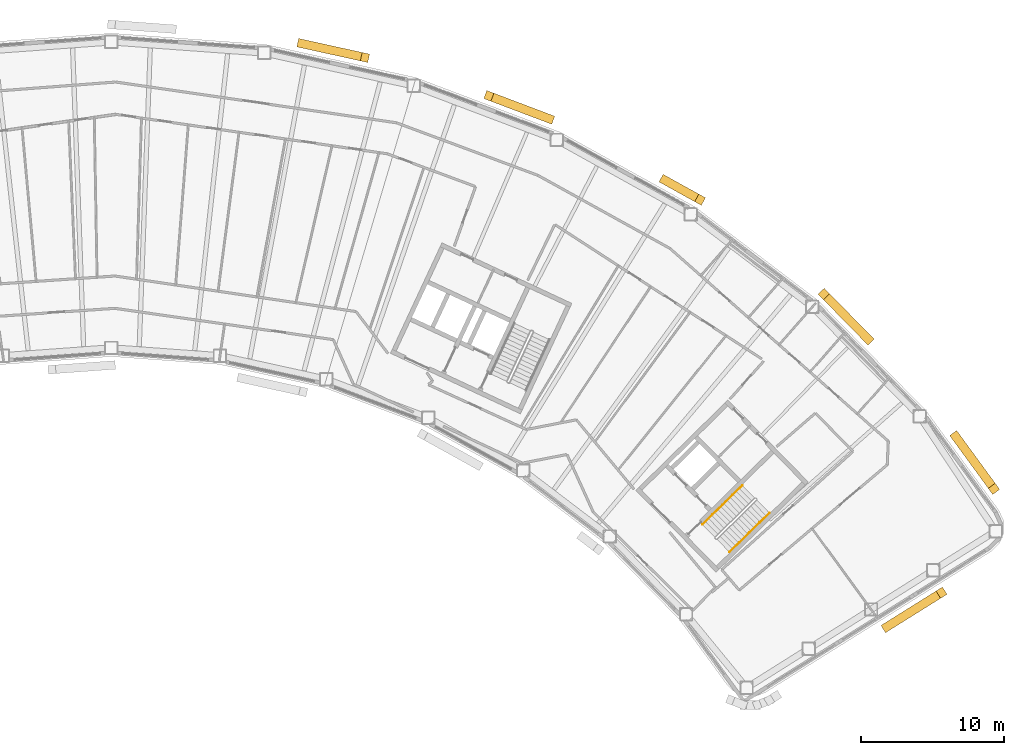
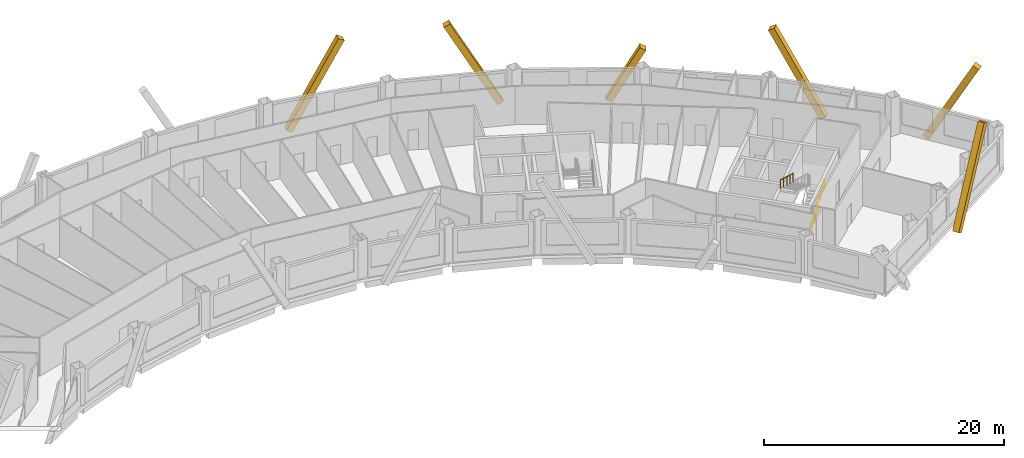
# One storey, part 15 of 15: 6 coverings, 2 railings.
"""IFC4 building model written with IfcOpenShell, lengths in metres."""

from ifc_helpers import new_model, si_unit, direction, frame, origin, origin_2d, place, context, subcontext, project, spatial, rectangle, circle, extrude, material, material_profile, profile_set, type_object, element, save


model = new_model("IFC4")

# Units and contexts
model_context = context("Model", 3, precision=1e-05, world=origin(), true_north=direction((0.0, 1.0)))
body_context = subcontext(model_context, "Body", "Model", "MODEL_VIEW")
ifc_project = project(units=[si_unit("LENGTHUNIT", "METRE"), si_unit("AREAUNIT", "SQUARE_METRE"), si_unit("VOLUMEUNIT", "CUBIC_METRE"), si_unit("PLANEANGLEUNIT", "RADIAN"), si_unit("MASSUNIT", "GRAM", prefix="KILO")], contexts=[model_context])

# Site, building, storey
site_placement = place(None, origin())
site = spatial("IfcSite", under=ifc_project, at=site_placement, CompositionType="ELEMENT")
building_placement = place(site_placement, origin())
building = spatial("IfcBuilding", under=site, at=building_placement, Name="Tuul Gate Civic Tower", CompositionType="ELEMENT")
storey_placement = place(building_placement, frame((0.0, 0.0, 226.300048828125)))
storey = spatial("IfcBuildingStorey", under=building, at=storey_placement, Name="Level 51", CompositionType="ELEMENT", Elevation=226.300048828125)

# Railings
ifc_material_1 = material(Name="Painted steel", Category="steel")
railing_type = type_object("IfcRailingType", Name="Stair handrail", PredefinedType="HANDRAIL", material=ifc_material_1)
railing_1_placement = place(storey_placement, frame((49.05126953125, -17.028076171875, 0.14990234375)))
element("IfcRailing", 1, at=railing_1_placement, inside=storey, type_object=railing_type, Name="Level 51 ST-3 stair handrail 1", PredefinedType="HANDRAIL", context=body_context, shape_type="SweptSolid", body=[
    extrude(circle(Radius=0.02392578125, at=origin_2d()), frame((0.0, 0.0, 0.8759765625), z_axis=(0.638753653487, 0.626099522554, 0.447205945863), x_axis=(-0.699997553204, 0.714145241186, 0.0)), (0.0, 0.0, 1.0), 4.3603515625),
    extrude(circle(Radius=0.02099609375, at=origin_2d()), origin(), (0.0, 0.0, 1.0), 0.851806640625),
    extrude(circle(Radius=0.02099609375, at=origin_2d()), frame((0.6962890625, 0.6826171875, 0.487548828125)), (0.0, 0.0, 1.0), 0.851806640625),
    extrude(circle(Radius=0.02099609375, at=origin_2d()), frame((1.392578125, 1.364990234375, 0.97509765625)), (0.0, 0.0, 1.0), 0.851806640625),
    extrude(circle(Radius=0.02099609375, at=origin_2d()), frame((2.0888671875, 2.04736328125, 1.46240234375)), (0.0, 0.0, 1.0), 0.851806640625),
    extrude(circle(Radius=0.02099609375, at=origin_2d()), frame((2.78515625, 2.72998046875, 1.949951171875)), (0.0, 0.0, 1.0), 0.851806640625),
])
railing_2_placement = place(storey_placement, frame((49.9462890625, -12.369873046875, 2.25)))
element("IfcRailing", 2, at=railing_2_placement, inside=storey, type_object=railing_type, Name="Level 51 ST-3 stair handrail 2", PredefinedType="HANDRAIL", context=body_context, shape_type="SweptSolid", body=[
    extrude(circle(Radius=0.02392578125, at=origin_2d()), frame((0.0, 0.0, 0.8759765625), z_axis=(-0.638753653487, -0.626099522554, 0.447205945863), x_axis=(0.699997553204, -0.714145241186, 0.0)), (0.0, 0.0, 1.0), 4.3603515625),
    extrude(circle(Radius=0.02099609375, at=origin_2d()), origin(), (0.0, 0.0, 1.0), 0.851806640625),
    extrude(circle(Radius=0.02099609375, at=origin_2d()), frame((-0.6962890625, -0.6826171875, 0.487548828125)), (0.0, 0.0, 1.0), 0.851806640625),
    extrude(circle(Radius=0.02099609375, at=origin_2d()), frame((-1.392578125, -1.364990234375, 0.97509765625)), (0.0, 0.0, 1.0), 0.851806640625),
    extrude(circle(Radius=0.02099609375, at=origin_2d()), frame((-2.0888671875, -2.04736328125, 1.46240234375)), (0.0, 0.0, 1.0), 0.851806640625),
    extrude(circle(Radius=0.02099609375, at=origin_2d()), frame((-2.78515625, -2.72998046875, 1.949951171875)), (0.0, 0.0, 1.0), 0.851806640625),
])

# Coverings
ifc_material_2 = material(Name="Terracotta baguette", Category="masonry")
ifc_material_profile = material_profile(ifc_material_2, rectangle(XDim=0.60009765625, YDim=0.60009765625, at=origin_2d()), Name="Terracotta baguette screen frame")
ifc_profile_set = profile_set([ifc_material_profile], Name="Terracotta baguette")
covering_type = type_object("IfcCoveringType", Name="Terracotta baguette screen frame", PredefinedType="CLADDING", material=ifc_profile_set)
covering_1_placement = place(storey_placement, frame((60.00146484375, -22.25830078125, -0.35009765625), z_axis=(0.402286551729, 0.25135553547, 0.880332849033), x_axis=(-0.529887423043, 0.848067991909, 0.0)))
element("IfcCovering", 3, at=covering_1_placement, inside=storey, type_object=covering_type, Name="Baguette 2", PredefinedType="CLADDING", context=body_context, shape_type="SweptSolid", body=[
    extrude(rectangle(XDim=0.60009765625, YDim=0.60009765625, at=origin_2d()), origin(), (0.0, 0.0, 1.0), 9.5419921875),
])
covering_2_placement = place(storey_placement, frame((67.499755859375, -12.619140625, 8.050048828125), z_axis=(-0.281384989699, 0.385244046354, -0.878868313413), x_axis=(-0.807530403609, -0.589825946569, 0.0)))
element("IfcCovering", 4, at=covering_2_placement, inside=storey, type_object=covering_type, Name="Baguette 19", PredefinedType="CLADDING", context=body_context, shape_type="SweptSolid", body=[
    extrude(rectangle(XDim=0.60009765625, YDim=0.60009765625, at=origin_2d()), origin(), (0.0, 0.0, 1.0), 9.557861328125),
])
covering_3_placement = place(storey_placement, frame((55.633544921875, 0.976806640625, 7.882080078125), z_axis=(0.33260723385, -0.339339751215, -0.879898267549), x_axis=(0.714155733534, 0.699986848634, 0.0)))
element("IfcCovering", 5, at=covering_3_placement, inside=storey, type_object=covering_type, Name="Baguette 35", PredefinedType="CLADDING", context=body_context, shape_type="SweptSolid", body=[
    extrude(rectangle(XDim=0.60009765625, YDim=0.60009765625, at=origin_2d()), origin(), (0.0, 0.0, 1.0), 9.355712890625),
])
covering_4_placement = place(storey_placement, frame((47.0, 7.550537109375, 4.923583984375), z_axis=(-0.415569789545, 0.230392347546, -0.879898355613), x_axis=(-0.484871200152, -0.874585570006, 0.0)))
element("IfcCovering", 6, at=covering_4_placement, inside=storey, type_object=covering_type, Name="Baguette 42", PredefinedType="CLADDING", context=body_context, shape_type="SweptSolid", body=[
    extrude(rectangle(XDim=0.60009765625, YDim=0.60009765625, at=origin_2d()), origin(), (0.0, 0.0, 1.0), 5.993408203125),
])
covering_5_placement = place(storey_placement, frame((32.26611328125, 14.793701171875, 8.050048828125), z_axis=(0.444459528179, -0.168066054039, -0.87989177135), x_axis=(0.353693598078, 0.935361341236, 0.0)))
element("IfcCovering", 7, at=covering_5_placement, inside=storey, type_object=covering_type, Name="Baguette 56", PredefinedType="CLADDING", context=body_context, shape_type="SweptSolid", body=[
    extrude(rectangle(XDim=0.60009765625, YDim=0.60009765625, at=origin_2d()), origin(), (0.0, 0.0, 1.0), 9.546875),
])
covering_6_placement = place(storey_placement, frame((23.62255859375, 17.472412109375, 8.050048828125), z_axis=(-0.464027544082, 0.102242056833, -0.879900562648), x_axis=(-0.215174921103, -0.976575523617, 0.0)))
element("IfcCovering", 8, at=covering_6_placement, inside=storey, type_object=covering_type, Name="Baguette 61", PredefinedType="CLADDING", context=body_context, shape_type="SweptSolid", body=[
    extrude(rectangle(XDim=0.60009765625, YDim=0.60009765625, at=origin_2d()), origin(), (0.0, 0.0, 1.0), 9.546630859375),
])

save(model, "model.ifc")
